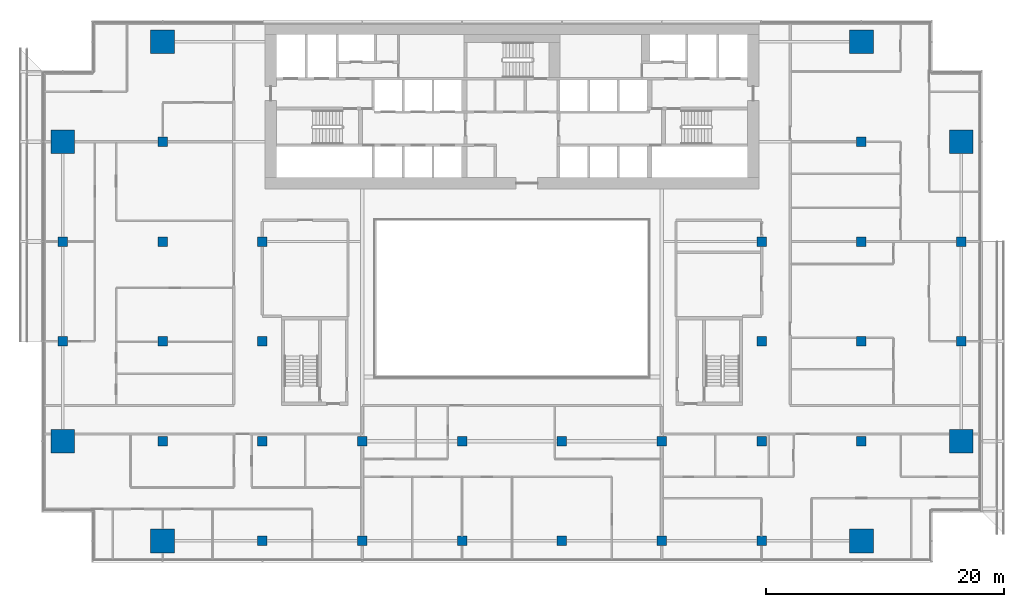
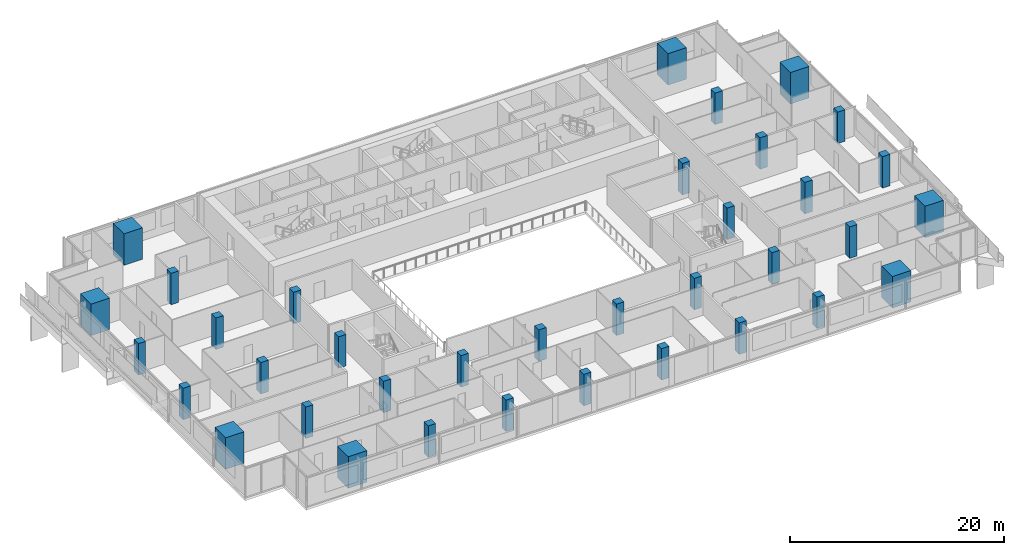
# One storey, part 1 of 25: 36 columns.
"""IFC4 building model written with IfcOpenShell, lengths in metres."""

from ifc_helpers import new_model, si_unit, direction, frame, origin, origin_2d, place, context, subcontext, project, spatial, rectangle, extrude, material, material_profile, profile_set, type_object, element, save


model = new_model("IFC4")

# Units and contexts
model_context = context("Model", 3, precision=1e-05, world=origin(), true_north=direction((0.0, 1.0)))
body_context = subcontext(model_context, "Body", "Model", "MODEL_VIEW")
ifc_project = project(units=[si_unit("LENGTHUNIT", "METRE"), si_unit("AREAUNIT", "SQUARE_METRE"), si_unit("VOLUMEUNIT", "CUBIC_METRE"), si_unit("PLANEANGLEUNIT", "RADIAN"), si_unit("MASSUNIT", "GRAM", prefix="KILO")], contexts=[model_context])

# Site, building, storey
site_placement = place(None, origin())
site = spatial("IfcSite", under=ifc_project, at=site_placement, CompositionType="ELEMENT")
building_placement = place(site_placement, origin())
building = spatial("IfcBuilding", under=site, at=building_placement, Name="Saffron Gate Tower", CompositionType="ELEMENT")
storey_placement = place(building_placement, frame((0.0, 0.0, 131.25)))
storey = spatial("IfcBuildingStorey", under=building, at=storey_placement, Name="L31", CompositionType="ELEMENT", Elevation=131.25)

# Columns
ifc_material_1 = material(Name="Concrete C60", Category="concrete")
ifc_material_profile_1 = material_profile(ifc_material_1, rectangle(XDim=0.800048828125, YDim=0.800048828125, at=origin_2d()))
ifc_profile_set_1 = profile_set([ifc_material_profile_1], Name="Concrete C60")
column_type_1 = type_object("IfcColumnType", Name="C5 RC 800x800 CONCRETE C60", PredefinedType="COLUMN", material=ifc_profile_set_1)
for number, where, z_axis, x_axis, name in (
    (1, (49.800048828125, 48.60009765625, 0.0), (0.0, 0.0, 1.0), (1.0, 0.0, 0.0), "C5 COLUMN X1-C"),
    (2, (49.800048828125, 57.0, 0.0), (0.0, 0.0, 1.0), (1.0, 0.0, 0.0), "C5 COLUMN X1-D"),
    (3, (58.199951171875, 40.199951171875, 0.0), (0.0, 0.0, 1.0), (1.0, 0.0, 0.0), "C5 COLUMN X2-B"),
    (4, (58.199951171875, 48.60009765625, 0.0), (0.0, 0.0, 1.0), (1.0, 0.0, 0.0), "C5 COLUMN X2-C"),
    (5, (58.199951171875, 57.0, 0.0), (0.0, 0.0, 1.0), (1.0, 0.0, 0.0), "C5 COLUMN X2-D"),
    (6, (58.199951171875, 65.39990234375, 0.0), (0.0, 0.0, 1.0), (1.0, 0.0, 0.0), "C5 COLUMN X2-E"),
    (7, (66.60009765625, 31.800048828125, 0.0), (0.0, 0.0, 1.0), (1.0, 0.0, 0.0), "C5 COLUMN X3-A"),
    (8, (66.60009765625, 40.199951171875, 0.0), (0.0, 0.0, 1.0), (1.0, 0.0, 0.0), "C5 COLUMN X3-B"),
    (9, (66.60009765625, 48.60009765625, 0.0), (0.0, 0.0, 1.0), (1.0, 0.0, 0.0), "C5 COLUMN X3-C"),
    (10, (66.60009765625, 57.0, 0.0), (0.0, 0.0, 1.0), (1.0, 0.0, 0.0), "C5 COLUMN X3-D"),
    (11, (75.0, 31.800048828125, 0.0), (0.0, 0.0, 1.0), (1.0, 0.0, 0.0), "C5 COLUMN X4-A"),
    (12, (75.0, 40.199951171875, 0.0), (0.0, 0.0, 1.0), (1.0, 0.0, 0.0), "C5 COLUMN X4-B"),
    (13, (83.39990234375, 31.800048828125, 0.0), (0.0, 0.0, 1.0), (1.0, 0.0, 0.0), "C5 COLUMN X5-A"),
    (14, (83.39990234375, 40.199951171875, 0.0), (0.0, 0.0, 1.0), (1.0, 0.0, 0.0), "C5 COLUMN X5-B"),
    (15, (91.800048828125, 31.800048828125, 0.0), (0.0, 0.0, 1.0), (1.0, 0.0, 0.0), "C5 COLUMN X6-A"),
    (16, (91.800048828125, 40.199951171875, 0.0), (0.0, 0.0, 1.0), (1.0, 0.0, 0.0), "C5 COLUMN X6-B"),
    (17, (100.199951171875, 31.800048828125, 0.0), (0.0, 0.0, 1.0), (1.0, 0.0, 0.0), "C5 COLUMN X7-A"),
    (18, (100.199951171875, 40.199951171875, 0.0), (0.0, 0.0, 1.0), (1.0, 0.0, 0.0), "C5 COLUMN X7-B"),
    (19, (108.60009765625, 31.800048828125, 0.0), (0.0, 0.0, 1.0), (1.0, 0.0, 0.0), "C5 COLUMN X8-A"),
    (20, (108.60009765625, 40.199951171875, 0.0), (0.0, 0.0, 1.0), (1.0, 0.0, 0.0), "C5 COLUMN X8-B"),
    (21, (108.60009765625, 48.60009765625, 0.0), (0.0, 0.0, 1.0), (1.0, 0.0, 0.0), "C5 COLUMN X8-C"),
    (22, (108.60009765625, 57.0, 0.0), (0.0, 0.0, 1.0), (1.0, 0.0, 0.0), "C5 COLUMN X8-D"),
    (23, (117.0, 40.199951171875, 0.0), (0.0, 0.0, 1.0), (1.0, 0.0, 0.0), "C5 COLUMN X9-B"),
    (24, (117.0, 48.60009765625, 0.0), (0.0, 0.0, 1.0), (1.0, 0.0, 0.0), "C5 COLUMN X9-C"),
    (25, (117.0, 57.0, 0.0), (0.0, 0.0, 1.0), (1.0, 0.0, 0.0), "C5 COLUMN X9-D"),
    (26, (117.0, 65.39990234375, 0.0), (0.0, 0.0, 1.0), (1.0, 0.0, 0.0), "C5 COLUMN X9-E"),
    (27, (125.39990234375, 48.60009765625, 0.0), (0.0, 0.0, 1.0), (1.0, 0.0, 0.0), "C5 COLUMN X10-C"),
    (28, (125.39990234375, 57.0, 0.0), (0.0, 0.0, 1.0), (1.0, 0.0, 0.0), "C5 COLUMN X10-D"),
):
    element("IfcColumn", number, at=place(storey_placement, frame(where, z_axis=z_axis, x_axis=x_axis)), inside=storey, type_object=column_type_1, Name=name, PredefinedType="COLUMN", context=body_context, shape_type="SweptSolid", body=[
        extrude(rectangle(XDim=0.800048828125, YDim=0.800048828125, at=origin_2d()), origin(), (0.0, 0.0, 1.0), 3.60009765625),
    ])
ifc_material_2 = material(Name="Concrete C80", Category="concrete")
ifc_material_profile_2 = material_profile(ifc_material_2, rectangle(XDim=2.0, YDim=2.0, at=origin_2d()))
ifc_profile_set_2 = profile_set([ifc_material_profile_2], Name="Concrete C80")
column_type_2 = type_object("IfcColumnType", Name="MC3 RC 2000x2000 CONCRETE C80", PredefinedType="COLUMN", material=ifc_profile_set_2)
for number, where, z_axis, x_axis, name in (
    (29, (49.800048828125, 40.199951171875, 0.0), (0.0, 0.0, 1.0), (1.0, 0.0, 0.0), "MC3 MEGA COLUMN X1-B"),
    (30, (49.800048828125, 65.39990234375, 0.0), (0.0, 0.0, 1.0), (1.0, 0.0, 0.0), "MC3 MEGA COLUMN X1-E"),
    (31, (58.199951171875, 31.800048828125, 0.0), (0.0, 0.0, 1.0), (1.0, 0.0, 0.0), "MC3 MEGA COLUMN X2-A"),
    (32, (58.199951171875, 73.800048828125, 0.0), (0.0, 0.0, 1.0), (1.0, 0.0, 0.0), "MC3 MEGA COLUMN X2-F"),
    (33, (117.0, 31.800048828125, 0.0), (0.0, 0.0, 1.0), (1.0, 0.0, 0.0), "MC3 MEGA COLUMN X9-A"),
    (34, (117.0, 73.800048828125, 0.0), (0.0, 0.0, 1.0), (1.0, 0.0, 0.0), "MC3 MEGA COLUMN X9-F"),
    (35, (125.39990234375, 40.199951171875, 0.0), (0.0, 0.0, 1.0), (1.0, 0.0, 0.0), "MC3 MEGA COLUMN X10-B"),
    (36, (125.39990234375, 65.39990234375, 0.0), (0.0, 0.0, 1.0), (1.0, 0.0, 0.0), "MC3 MEGA COLUMN X10-E"),
):
    element("IfcColumn", number, at=place(storey_placement, frame(where, z_axis=z_axis, x_axis=x_axis)), inside=storey, type_object=column_type_2, Name=name, PredefinedType="COLUMN", context=body_context, shape_type="SweptSolid", body=[
        extrude(rectangle(XDim=2.0, YDim=2.0, at=origin_2d()), origin(), (0.0, 0.0, 1.0), 3.60009765625),
    ])

save(model, "model.ifc")
